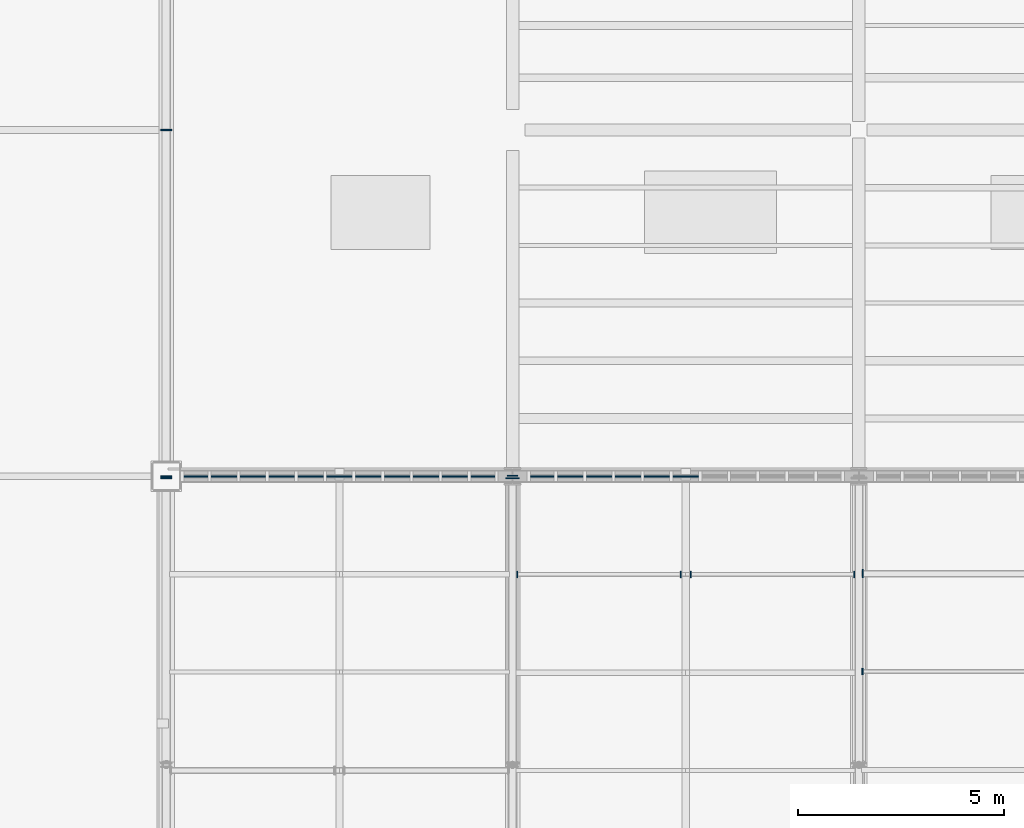
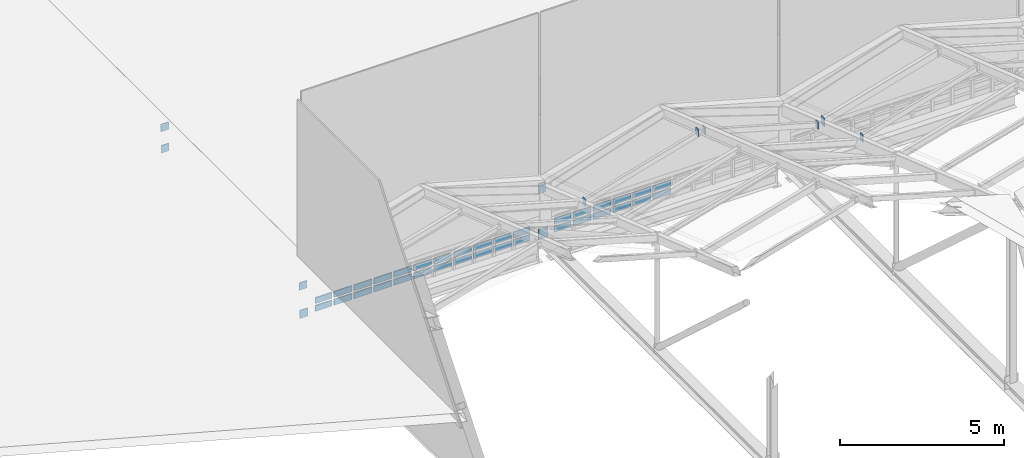
# One storey, part 61 of 77: 46 plates, 2 elements without a shape of their own.
"""IFC4 building model written with IfcOpenShell, lengths in metres."""

from ifc_helpers import new_model, si_unit, direction, frame, origin, origin_2d, place, context, subcontext, project, spatial, rectangle, extrude, material, layer, layer_set, type_object, element, aggregate, save


model = new_model("IFC4")

# Units and contexts
model_context = context("Model", 3, precision=1e-05, world=origin(), true_north=direction((0.0, 1.0)))
body_context = subcontext(model_context, "Body", "Model", "MODEL_VIEW")
ifc_project = project(units=[si_unit("LENGTHUNIT", "METRE"), si_unit("AREAUNIT", "SQUARE_METRE"), si_unit("VOLUMEUNIT", "CUBIC_METRE"), si_unit("PLANEANGLEUNIT", "RADIAN"), si_unit("MASSUNIT", "GRAM", prefix="KILO")], contexts=[model_context])

# Site, building, storey
site_placement = place(None, origin())
site = spatial("IfcSite", under=ifc_project, at=site_placement, CompositionType="ELEMENT")
building_placement = place(site_placement, origin())
building = spatial("IfcBuilding", under=site, at=building_placement, Name="Larkvane Passage Sports Hall", CompositionType="ELEMENT")
storey_placement = place(building_placement, frame((0.0, 0.0, 22.199951171875)))
storey = spatial("IfcBuildingStorey", under=building, at=storey_placement, Name="RF", CompositionType="ELEMENT", Elevation=22.199951171875)

# Curtain wall, plates
ifc_material_1 = material(Name="Thermally broken aluminium and low-E glazing", Category="aluminium")
curtain_wall_type = type_object("IfcCurtainWallType", Name="CW-CLER-N", PredefinedType="USERDEFINED", material=ifc_material_1)
curtain_wall_1_placement = place(storey_placement, origin())
curtain_wall_1 = element("IfcCurtainWall", 1, at=curtain_wall_1_placement, inside=storey, type_object=curtain_wall_type, Name="Curtain wall CW5-RF-CLER-1", ObjectType="STICK CURTAIN WALL", PredefinedType="USERDEFINED")
ifc_material_2 = material(Name="High-impact court low-E glazing", Category="glass")
ifc_layer_1 = layer(ifc_material_2, 0.035888671875)
ifc_layer_set_1 = layer_set([ifc_layer_1], Name="High-impact court low-E glazing")
plate_type_1 = type_object("IfcPlateType", Name="CWP-VIS-36", PredefinedType="CURTAIN_PANEL", material=ifc_layer_set_1)
plate_1_placement = place(storey_placement, frame((42.47998046875, 75.60009765625, 0.0751953125), z_axis=(0.0, 0.0, 1.0), x_axis=(-1.0, 0.0, 0.0)))
plate_1 = element("IfcPlate", 2, at=plate_1_placement, type_object=plate_type_1, Name="CW-04 panel 1.1", PredefinedType="CURTAIN_PANEL", context=body_context, shape_type="SweptSolid", body=[
    extrude(rectangle(XDim=0.580078125, YDim=0.035888671875, at=origin_2d()), origin(), (0.0, 0.0, 1.0), 0.217529296875),
])
plate_2_placement = place(storey_placement, frame((42.47998046875, 75.60009765625, 0.36767578125), z_axis=(0.0, 0.0, 1.0), x_axis=(-1.0, 0.0, 0.0)))
plate_2 = element("IfcPlate", 3, at=plate_2_placement, type_object=plate_type_1, Name="CW-04 panel 1.2", PredefinedType="CURTAIN_PANEL", context=body_context, shape_type="SweptSolid", body=[
    extrude(rectangle(XDim=0.580078125, YDim=0.035888671875, at=origin_2d()), origin(), (0.0, 0.0, 1.0), 0.217529296875),
])
plate_3_placement = place(storey_placement, frame((41.800048828125, 75.60009765625, 0.0751953125), z_axis=(0.0, 0.0, 1.0), x_axis=(-1.0, 0.0, 0.0)))
plate_3 = element("IfcPlate", 4, at=plate_3_placement, type_object=plate_type_1, Name="CW-04 panel 2.1", PredefinedType="CURTAIN_PANEL", context=body_context, shape_type="SweptSolid", body=[
    extrude(rectangle(XDim=0.6201171875, YDim=0.035888671875, at=origin_2d()), origin(), (0.0, 0.0, 1.0), 0.217529296875),
])
plate_4_placement = place(storey_placement, frame((41.800048828125, 75.60009765625, 0.36767578125), z_axis=(0.0, 0.0, 1.0), x_axis=(-1.0, 0.0, 0.0)))
plate_4 = element("IfcPlate", 5, at=plate_4_placement, type_object=plate_type_1, Name="CW-04 panel 2.2", PredefinedType="CURTAIN_PANEL", context=body_context, shape_type="SweptSolid", body=[
    extrude(rectangle(XDim=0.6201171875, YDim=0.035888671875, at=origin_2d()), origin(), (0.0, 0.0, 1.0), 0.217529296875),
])
plate_5_placement = place(storey_placement, frame((41.10009765625, 75.60009765625, 0.0751953125), z_axis=(0.0, 0.0, 1.0), x_axis=(-1.0, 0.0, 0.0)))
plate_5 = element("IfcPlate", 6, at=plate_5_placement, type_object=plate_type_1, Name="CW-04 panel 3.1", PredefinedType="CURTAIN_PANEL", context=body_context, shape_type="SweptSolid", body=[
    extrude(rectangle(XDim=0.6201171875, YDim=0.035888671875, at=origin_2d()), origin(), (0.0, 0.0, 1.0), 0.217529296875),
])
plate_6_placement = place(storey_placement, frame((41.10009765625, 75.60009765625, 0.36767578125), z_axis=(0.0, 0.0, 1.0), x_axis=(-1.0, 0.0, 0.0)))
plate_6 = element("IfcPlate", 7, at=plate_6_placement, type_object=plate_type_1, Name="CW-04 panel 3.2", PredefinedType="CURTAIN_PANEL", context=body_context, shape_type="SweptSolid", body=[
    extrude(rectangle(XDim=0.6201171875, YDim=0.035888671875, at=origin_2d()), origin(), (0.0, 0.0, 1.0), 0.217529296875),
])
plate_7_placement = place(storey_placement, frame((40.39990234375, 75.60009765625, 0.0751953125), z_axis=(0.0, 0.0, 1.0), x_axis=(-1.0, 0.0, 0.0)))
plate_7 = element("IfcPlate", 8, at=plate_7_placement, type_object=plate_type_1, Name="CW-04 panel 4.1", PredefinedType="CURTAIN_PANEL", context=body_context, shape_type="SweptSolid", body=[
    extrude(rectangle(XDim=0.6201171875, YDim=0.035888671875, at=origin_2d()), origin(), (0.0, 0.0, 1.0), 0.217529296875),
])
plate_8_placement = place(storey_placement, frame((40.39990234375, 75.60009765625, 0.36767578125), z_axis=(0.0, 0.0, 1.0), x_axis=(-1.0, 0.0, 0.0)))
plate_8 = element("IfcPlate", 9, at=plate_8_placement, type_object=plate_type_1, Name="CW-04 panel 4.2", PredefinedType="CURTAIN_PANEL", context=body_context, shape_type="SweptSolid", body=[
    extrude(rectangle(XDim=0.6201171875, YDim=0.035888671875, at=origin_2d()), origin(), (0.0, 0.0, 1.0), 0.217529296875),
])
plate_9_placement = place(storey_placement, frame((39.699951171875, 75.60009765625, 0.0751953125), z_axis=(0.0, 0.0, 1.0), x_axis=(-1.0, 0.0, 0.0)))
plate_9 = element("IfcPlate", 10, at=plate_9_placement, type_object=plate_type_1, Name="CW-04 panel 5.1", PredefinedType="CURTAIN_PANEL", context=body_context, shape_type="SweptSolid", body=[
    extrude(rectangle(XDim=0.6201171875, YDim=0.035888671875, at=origin_2d()), origin(), (0.0, 0.0, 1.0), 0.217529296875),
])
plate_10_placement = place(storey_placement, frame((39.699951171875, 75.60009765625, 0.36767578125), z_axis=(0.0, 0.0, 1.0), x_axis=(-1.0, 0.0, 0.0)))
plate_10 = element("IfcPlate", 11, at=plate_10_placement, type_object=plate_type_1, Name="CW-04 panel 5.2", PredefinedType="CURTAIN_PANEL", context=body_context, shape_type="SweptSolid", body=[
    extrude(rectangle(XDim=0.6201171875, YDim=0.035888671875, at=origin_2d()), origin(), (0.0, 0.0, 1.0), 0.217529296875),
])
plate_11_placement = place(storey_placement, frame((39.0, 75.60009765625, 0.0751953125), z_axis=(0.0, 0.0, 1.0), x_axis=(-1.0, 0.0, 0.0)))
plate_11 = element("IfcPlate", 12, at=plate_11_placement, type_object=plate_type_1, Name="CW-04 panel 6.1", PredefinedType="CURTAIN_PANEL", context=body_context, shape_type="SweptSolid", body=[
    extrude(rectangle(XDim=0.6201171875, YDim=0.035888671875, at=origin_2d()), origin(), (0.0, 0.0, 1.0), 0.217529296875),
])
plate_12_placement = place(storey_placement, frame((39.0, 75.60009765625, 0.36767578125), z_axis=(0.0, 0.0, 1.0), x_axis=(-1.0, 0.0, 0.0)))
plate_12 = element("IfcPlate", 13, at=plate_12_placement, type_object=plate_type_1, Name="CW-04 panel 6.2", PredefinedType="CURTAIN_PANEL", context=body_context, shape_type="SweptSolid", body=[
    extrude(rectangle(XDim=0.6201171875, YDim=0.035888671875, at=origin_2d()), origin(), (0.0, 0.0, 1.0), 0.217529296875),
])
plate_13_placement = place(storey_placement, frame((38.300048828125, 75.60009765625, 0.0751953125), z_axis=(0.0, 0.0, 1.0), x_axis=(-1.0, 0.0, 0.0)))
plate_13 = element("IfcPlate", 14, at=plate_13_placement, type_object=plate_type_1, Name="CW-04 panel 7.1", PredefinedType="CURTAIN_PANEL", context=body_context, shape_type="SweptSolid", body=[
    extrude(rectangle(XDim=0.6201171875, YDim=0.035888671875, at=origin_2d()), origin(), (0.0, 0.0, 1.0), 0.217529296875),
])
plate_14_placement = place(storey_placement, frame((38.300048828125, 75.60009765625, 0.36767578125), z_axis=(0.0, 0.0, 1.0), x_axis=(-1.0, 0.0, 0.0)))
plate_14 = element("IfcPlate", 15, at=plate_14_placement, type_object=plate_type_1, Name="CW-04 panel 7.2", PredefinedType="CURTAIN_PANEL", context=body_context, shape_type="SweptSolid", body=[
    extrude(rectangle(XDim=0.6201171875, YDim=0.035888671875, at=origin_2d()), origin(), (0.0, 0.0, 1.0), 0.217529296875),
])
plate_15_placement = place(storey_placement, frame((37.60009765625, 75.60009765625, 0.0751953125), z_axis=(0.0, 0.0, 1.0), x_axis=(-1.0, 0.0, 0.0)))
plate_15 = element("IfcPlate", 16, at=plate_15_placement, type_object=plate_type_1, Name="CW-04 panel 8.1", PredefinedType="CURTAIN_PANEL", context=body_context, shape_type="SweptSolid", body=[
    extrude(rectangle(XDim=0.6201171875, YDim=0.035888671875, at=origin_2d()), origin(), (0.0, 0.0, 1.0), 0.217529296875),
])
plate_16_placement = place(storey_placement, frame((37.60009765625, 75.60009765625, 0.36767578125), z_axis=(0.0, 0.0, 1.0), x_axis=(-1.0, 0.0, 0.0)))
plate_16 = element("IfcPlate", 17, at=plate_16_placement, type_object=plate_type_1, Name="CW-04 panel 8.2", PredefinedType="CURTAIN_PANEL", context=body_context, shape_type="SweptSolid", body=[
    extrude(rectangle(XDim=0.6201171875, YDim=0.035888671875, at=origin_2d()), origin(), (0.0, 0.0, 1.0), 0.217529296875),
])
plate_17_placement = place(storey_placement, frame((36.89990234375, 75.60009765625, 0.0751953125), z_axis=(0.0, 0.0, 1.0), x_axis=(-1.0, 0.0, 0.0)))
plate_17 = element("IfcPlate", 18, at=plate_17_placement, type_object=plate_type_1, Name="CW-04 panel 9.1", PredefinedType="CURTAIN_PANEL", context=body_context, shape_type="SweptSolid", body=[
    extrude(rectangle(XDim=0.6201171875, YDim=0.035888671875, at=origin_2d()), origin(), (0.0, 0.0, 1.0), 0.217529296875),
])
plate_18_placement = place(storey_placement, frame((36.89990234375, 75.60009765625, 0.36767578125), z_axis=(0.0, 0.0, 1.0), x_axis=(-1.0, 0.0, 0.0)))
plate_18 = element("IfcPlate", 19, at=plate_18_placement, type_object=plate_type_1, Name="CW-04 panel 9.2", PredefinedType="CURTAIN_PANEL", context=body_context, shape_type="SweptSolid", body=[
    extrude(rectangle(XDim=0.6201171875, YDim=0.035888671875, at=origin_2d()), origin(), (0.0, 0.0, 1.0), 0.217529296875),
])
plate_19_placement = place(storey_placement, frame((36.199951171875, 75.60009765625, 0.0751953125), z_axis=(0.0, 0.0, 1.0), x_axis=(-1.0, 0.0, 0.0)))
plate_19 = element("IfcPlate", 20, at=plate_19_placement, type_object=plate_type_1, Name="CW-04 panel 10.1", PredefinedType="CURTAIN_PANEL", context=body_context, shape_type="SweptSolid", body=[
    extrude(rectangle(XDim=0.6201171875, YDim=0.035888671875, at=origin_2d()), origin(), (0.0, 0.0, 1.0), 0.217529296875),
])
plate_20_placement = place(storey_placement, frame((36.199951171875, 75.60009765625, 0.36767578125), z_axis=(0.0, 0.0, 1.0), x_axis=(-1.0, 0.0, 0.0)))
plate_20 = element("IfcPlate", 21, at=plate_20_placement, type_object=plate_type_1, Name="CW-04 panel 10.2", PredefinedType="CURTAIN_PANEL", context=body_context, shape_type="SweptSolid", body=[
    extrude(rectangle(XDim=0.6201171875, YDim=0.035888671875, at=origin_2d()), origin(), (0.0, 0.0, 1.0), 0.217529296875),
])
plate_21_placement = place(storey_placement, frame((35.52001953125, 75.60009765625, 0.0751953125), z_axis=(0.0, 0.0, 1.0), x_axis=(-1.0, 0.0, 0.0)))
plate_21 = element("IfcPlate", 22, at=plate_21_placement, type_object=plate_type_1, Name="CW-04 panel 11.1", PredefinedType="CURTAIN_PANEL", context=body_context, shape_type="SweptSolid", body=[
    extrude(rectangle(XDim=0.580078125, YDim=0.035888671875, at=origin_2d()), origin(), (0.0, 0.0, 1.0), 0.217529296875),
])
plate_22_placement = place(storey_placement, frame((35.52001953125, 75.60009765625, 0.36767578125), z_axis=(0.0, 0.0, 1.0), x_axis=(-1.0, 0.0, 0.0)))
plate_22 = element("IfcPlate", 23, at=plate_22_placement, type_object=plate_type_1, Name="CW-04 panel 11.2", PredefinedType="CURTAIN_PANEL", context=body_context, shape_type="SweptSolid", body=[
    extrude(rectangle(XDim=0.580078125, YDim=0.035888671875, at=origin_2d()), origin(), (0.0, 0.0, 1.0), 0.217529296875),
])
aggregate(curtain_wall_1, [plate_1, plate_2, plate_3, plate_4, plate_5, plate_6, plate_7, plate_8, plate_9, plate_10, plate_11, plate_12, plate_13, plate_14, plate_15, plate_16, plate_17, plate_18, plate_19, plate_20, plate_21, plate_22])

curtain_wall_2_placement = place(storey_placement, origin())
curtain_wall_2 = element("IfcCurtainWall", 24, at=curtain_wall_2_placement, inside=storey, type_object=curtain_wall_type, Name="Curtain wall CW5-RF-CLER-2", ObjectType="STICK CURTAIN WALL", PredefinedType="USERDEFINED")
plate_23_placement = place(storey_placement, frame((47.39990234375, 75.60009765625, 0.0751953125), z_axis=(0.0, 0.0, 1.0), x_axis=(-1.0, 0.0, 0.0)))
plate_23 = element("IfcPlate", 25, at=plate_23_placement, type_object=plate_type_1, Name="CW-04 panel 6.1", PredefinedType="CURTAIN_PANEL", context=body_context, shape_type="SweptSolid", body=[
    extrude(rectangle(XDim=0.6201171875, YDim=0.035888671875, at=origin_2d()), origin(), (0.0, 0.0, 1.0), 0.217529296875),
])
plate_24_placement = place(storey_placement, frame((47.39990234375, 75.60009765625, 0.36767578125), z_axis=(0.0, 0.0, 1.0), x_axis=(-1.0, 0.0, 0.0)))
plate_24 = element("IfcPlate", 26, at=plate_24_placement, type_object=plate_type_1, Name="CW-04 panel 6.2", PredefinedType="CURTAIN_PANEL", context=body_context, shape_type="SweptSolid", body=[
    extrude(rectangle(XDim=0.6201171875, YDim=0.035888671875, at=origin_2d()), origin(), (0.0, 0.0, 1.0), 0.217529296875),
])
plate_25_placement = place(storey_placement, frame((46.699951171875, 75.60009765625, 0.0751953125), z_axis=(0.0, 0.0, 1.0), x_axis=(-1.0, 0.0, 0.0)))
plate_25 = element("IfcPlate", 27, at=plate_25_placement, type_object=plate_type_1, Name="CW-04 panel 7.1", PredefinedType="CURTAIN_PANEL", context=body_context, shape_type="SweptSolid", body=[
    extrude(rectangle(XDim=0.6201171875, YDim=0.035888671875, at=origin_2d()), origin(), (0.0, 0.0, 1.0), 0.217529296875),
])
plate_26_placement = place(storey_placement, frame((46.699951171875, 75.60009765625, 0.36767578125), z_axis=(0.0, 0.0, 1.0), x_axis=(-1.0, 0.0, 0.0)))
plate_26 = element("IfcPlate", 28, at=plate_26_placement, type_object=plate_type_1, Name="CW-04 panel 7.2", PredefinedType="CURTAIN_PANEL", context=body_context, shape_type="SweptSolid", body=[
    extrude(rectangle(XDim=0.6201171875, YDim=0.035888671875, at=origin_2d()), origin(), (0.0, 0.0, 1.0), 0.217529296875),
])
plate_27_placement = place(storey_placement, frame((46.0, 75.60009765625, 0.0751953125), z_axis=(0.0, 0.0, 1.0), x_axis=(-1.0, 0.0, 0.0)))
plate_27 = element("IfcPlate", 29, at=plate_27_placement, type_object=plate_type_1, Name="CW-04 panel 8.1", PredefinedType="CURTAIN_PANEL", context=body_context, shape_type="SweptSolid", body=[
    extrude(rectangle(XDim=0.6201171875, YDim=0.035888671875, at=origin_2d()), origin(), (0.0, 0.0, 1.0), 0.217529296875),
])
plate_28_placement = place(storey_placement, frame((46.0, 75.60009765625, 0.36767578125), z_axis=(0.0, 0.0, 1.0), x_axis=(-1.0, 0.0, 0.0)))
plate_28 = element("IfcPlate", 30, at=plate_28_placement, type_object=plate_type_1, Name="CW-04 panel 8.2", PredefinedType="CURTAIN_PANEL", context=body_context, shape_type="SweptSolid", body=[
    extrude(rectangle(XDim=0.6201171875, YDim=0.035888671875, at=origin_2d()), origin(), (0.0, 0.0, 1.0), 0.217529296875),
])
plate_29_placement = place(storey_placement, frame((45.300048828125, 75.60009765625, 0.0751953125), z_axis=(0.0, 0.0, 1.0), x_axis=(-1.0, 0.0, 0.0)))
plate_29 = element("IfcPlate", 31, at=plate_29_placement, type_object=plate_type_1, Name="CW-04 panel 9.1", PredefinedType="CURTAIN_PANEL", context=body_context, shape_type="SweptSolid", body=[
    extrude(rectangle(XDim=0.6201171875, YDim=0.035888671875, at=origin_2d()), origin(), (0.0, 0.0, 1.0), 0.217529296875),
])
plate_30_placement = place(storey_placement, frame((45.300048828125, 75.60009765625, 0.36767578125), z_axis=(0.0, 0.0, 1.0), x_axis=(-1.0, 0.0, 0.0)))
plate_30 = element("IfcPlate", 32, at=plate_30_placement, type_object=plate_type_1, Name="CW-04 panel 9.2", PredefinedType="CURTAIN_PANEL", context=body_context, shape_type="SweptSolid", body=[
    extrude(rectangle(XDim=0.6201171875, YDim=0.035888671875, at=origin_2d()), origin(), (0.0, 0.0, 1.0), 0.217529296875),
])
plate_31_placement = place(storey_placement, frame((44.60009765625, 75.60009765625, 0.0751953125), z_axis=(0.0, 0.0, 1.0), x_axis=(-1.0, 0.0, 0.0)))
plate_31 = element("IfcPlate", 33, at=plate_31_placement, type_object=plate_type_1, Name="CW-04 panel 10.1", PredefinedType="CURTAIN_PANEL", context=body_context, shape_type="SweptSolid", body=[
    extrude(rectangle(XDim=0.6201171875, YDim=0.035888671875, at=origin_2d()), origin(), (0.0, 0.0, 1.0), 0.217529296875),
])
plate_32_placement = place(storey_placement, frame((44.60009765625, 75.60009765625, 0.36767578125), z_axis=(0.0, 0.0, 1.0), x_axis=(-1.0, 0.0, 0.0)))
plate_32 = element("IfcPlate", 34, at=plate_32_placement, type_object=plate_type_1, Name="CW-04 panel 10.2", PredefinedType="CURTAIN_PANEL", context=body_context, shape_type="SweptSolid", body=[
    extrude(rectangle(XDim=0.6201171875, YDim=0.035888671875, at=origin_2d()), origin(), (0.0, 0.0, 1.0), 0.217529296875),
])
plate_33_placement = place(storey_placement, frame((43.919921875, 75.60009765625, 0.0751953125), z_axis=(0.0, 0.0, 1.0), x_axis=(-1.0, 0.0, 0.0)))
plate_33 = element("IfcPlate", 35, at=plate_33_placement, type_object=plate_type_1, Name="CW-04 panel 11.1", PredefinedType="CURTAIN_PANEL", context=body_context, shape_type="SweptSolid", body=[
    extrude(rectangle(XDim=0.580078125, YDim=0.035888671875, at=origin_2d()), origin(), (0.0, 0.0, 1.0), 0.217529296875),
])
plate_34_placement = place(storey_placement, frame((43.919921875, 75.60009765625, 0.36767578125), z_axis=(0.0, 0.0, 1.0), x_axis=(-1.0, 0.0, 0.0)))
plate_34 = element("IfcPlate", 36, at=plate_34_placement, type_object=plate_type_1, Name="CW-04 panel 11.2", PredefinedType="CURTAIN_PANEL", context=body_context, shape_type="SweptSolid", body=[
    extrude(rectangle(XDim=0.580078125, YDim=0.035888671875, at=origin_2d()), origin(), (0.0, 0.0, 1.0), 0.217529296875),
])
aggregate(curtain_wall_2, [plate_23, plate_24, plate_25, plate_26, plate_27, plate_28, plate_29, plate_30, plate_31, plate_32, plate_33, plate_34])

# Plates
ifc_material_3 = material(Name="Steel S355JR", Category="steel")
ifc_layer_2 = layer(ifc_material_3, 0.011962890625)
ifc_layer_set_2 = layer_set([ifc_layer_2], Name="Steel S355JR")
plate_type_2 = type_object("IfcPlateType", Name="PLT-CAP-12", PredefinedType="SHEET", material=ifc_layer_set_2)
plate_35_placement = place(storey_placement, frame((34.800048828125, 75.55517578125, 0.032958984375), z_axis=(0.0, 0.0, 1.0), x_axis=(-1.0, 0.0, 0.0)))
element("IfcPlate", 37, at=plate_35_placement, inside=storey, type_object=plate_type_2, Name="Hollow section sealed end cap plate 0234", PredefinedType="SHEET", context=body_context, shape_type="SweptSolid", body=[
    extrude(rectangle(XDim=0.27587890625, YDim=0.028076171875, at=origin_2d()), origin(), (0.0, 0.0, 1.0), 0.30810546875),
])
plate_36_placement = place(storey_placement, frame((43.199951171875, 75.55517578125, 0.0283203125), z_axis=(0.0, 0.0, 1.0), x_axis=(-1.0, 0.0, 0.0)))
element("IfcPlate", 38, at=plate_36_placement, inside=storey, type_object=plate_type_2, Name="Hollow section sealed end cap plate 0254", PredefinedType="SHEET", context=body_context, shape_type="SweptSolid", body=[
    extrude(rectangle(XDim=0.326904296875, YDim=0.028076171875, at=origin_2d()), origin(), (0.0, 0.0, 1.0), 0.367919921875),
])
for number, where, z_axis, x_axis, name in (
    (39, (43.310302734375, 73.220703125, 2.6259765625), (0.0, 0.0, 1.0), (0.0, 1.0, 0.0), "Hollow section sealed end cap plate 0417"),
    (40, (47.52197265625, 73.220703125, 3.829345703125), (0.0, 0.0, 1.0), (0.0, 1.0, 0.0), "Hollow section sealed end cap plate 0418"),
    (41, (47.278076171875, 73.220703125, 3.829345703125), (0.0, 0.0, 1.0), (0.0, 1.0, 0.0), "Hollow section sealed end cap plate 0423"),
    (42, (51.48974609375, 73.220703125, 2.6259765625), (0.0, 0.0, 1.0), (0.0, 1.0, 0.0), "Hollow section sealed end cap plate 0424"),
    (43, (51.689453125, 70.86572265625, 3.51513671875), (0.0, 0.0, 1.0), (0.0, 1.0, 0.0), "Hollow section sealed end cap plate 0439"),
):
    element("IfcPlate", number, at=place(storey_placement, frame(where, z_axis=z_axis, x_axis=x_axis)), inside=storey, type_object=plate_type_2, Name=name, PredefinedType="SHEET", context=body_context, shape_type="SweptSolid", body=[
        extrude(rectangle(XDim=0.159912109375, YDim=0.028076171875, at=origin_2d()), origin(), (0.0, 0.0, 1.0), 0.26806640625),
    ])
plate_37_placement = place(storey_placement, frame((51.696044921875, 73.23779296875, 2.650390625), z_axis=(0.0, 0.0, 1.0), x_axis=(0.0, 1.0, 0.0)))
element("IfcPlate", 44, at=plate_37_placement, inside=storey, type_object=plate_type_2, Name="Hollow section sealed end cap plate 0441", PredefinedType="SHEET", context=body_context, shape_type="SweptSolid", body=[
    extrude(rectangle(XDim=0.2099609375, YDim=0.028076171875, at=origin_2d()), origin(), (0.0, 0.0, 1.0), 0.320068359375),
])
for number, where, z_axis, x_axis, name in (
    (45, (34.800048828125, 75.593994140625, 1.06103515625), (0.0, 0.0, 1.0), (-1.0, 0.0, 0.0), "Hollow section sealed end cap plate 0532"),
    (46, (34.800048828125, 84.006103515625, 1.84228515625), (0.0, 0.0, 1.0), (-1.0, 0.0, 0.0), "Hollow section sealed end cap plate 0533"),
    (47, (34.800048828125, 83.993896484375, 1.06103515625), (0.0, 0.0, 1.0), (-1.0, 0.0, 0.0), "Hollow section sealed end cap plate 0534"),
):
    element("IfcPlate", number, at=place(storey_placement, frame(where, z_axis=z_axis, x_axis=x_axis)), inside=storey, type_object=plate_type_2, Name=name, PredefinedType="SHEET", context=body_context, shape_type="SweptSolid", body=[
        extrude(rectangle(XDim=0.27587890625, YDim=0.028076171875, at=origin_2d()), origin(), (0.0, 0.0, 1.0), 0.277099609375),
    ])
ifc_material_4 = material(Name="Steel S460N", Category="steel")
ifc_layer_3 = layer(ifc_material_4, 0.02001953125)
ifc_layer_set_3 = layer_set([ifc_layer_3], Name="Steel S460N")
plate_type_3 = type_object("IfcPlateType", Name="PLT-CAP-20", PredefinedType="SHEET", material=ifc_layer_set_3)
plate_38_placement = place(storey_placement, frame((43.199951171875, 75.609619140625, 1.6884765625), z_axis=(0.0, 0.0, 1.0), x_axis=(-1.0, 0.0, 0.0)))
element("IfcPlate", 48, at=plate_38_placement, inside=storey, type_object=plate_type_3, Name="Hollow section sealed end cap plate 0252", PredefinedType="SHEET", context=body_context, shape_type="SweptSolid", body=[
    extrude(rectangle(XDim=0.260009765625, YDim=0.028076171875, at=origin_2d()), origin(), (0.0, 0.0, 1.0), 0.376953125),
])

save(model, "model.ifc")
